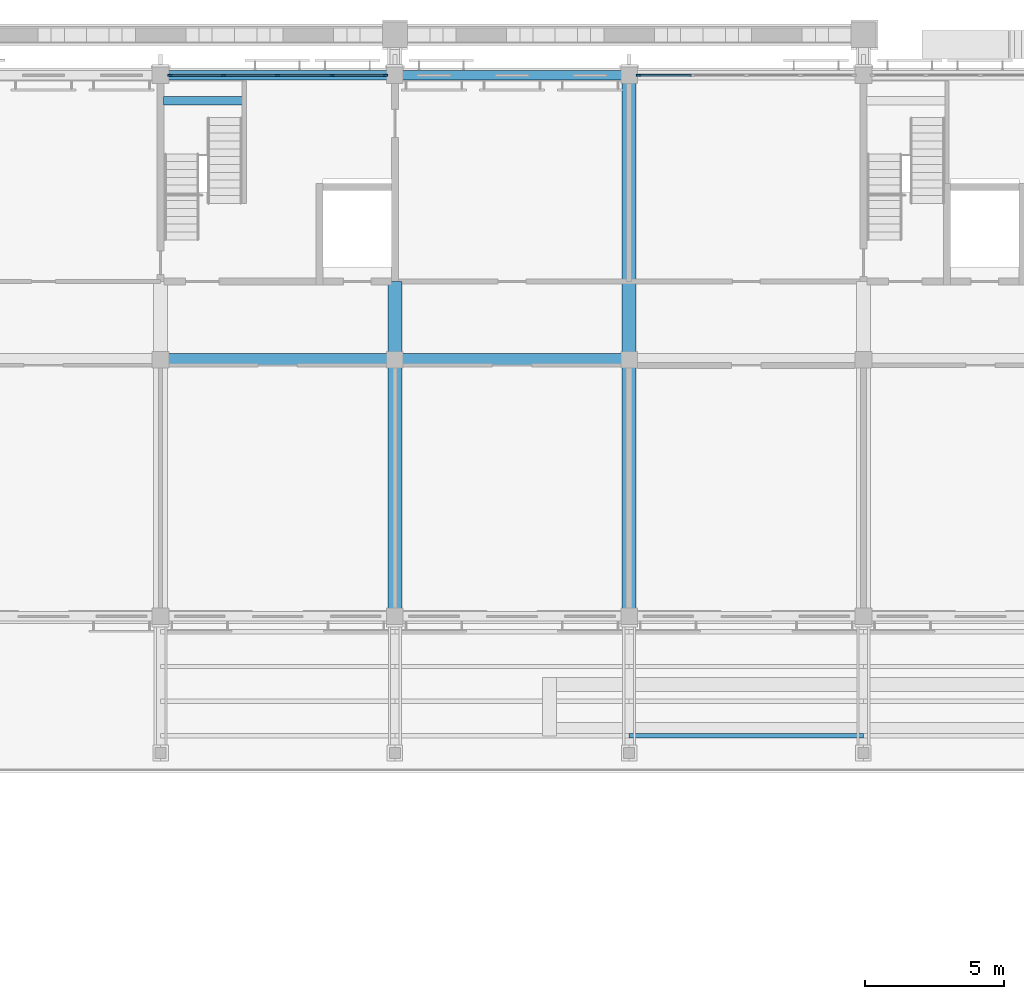
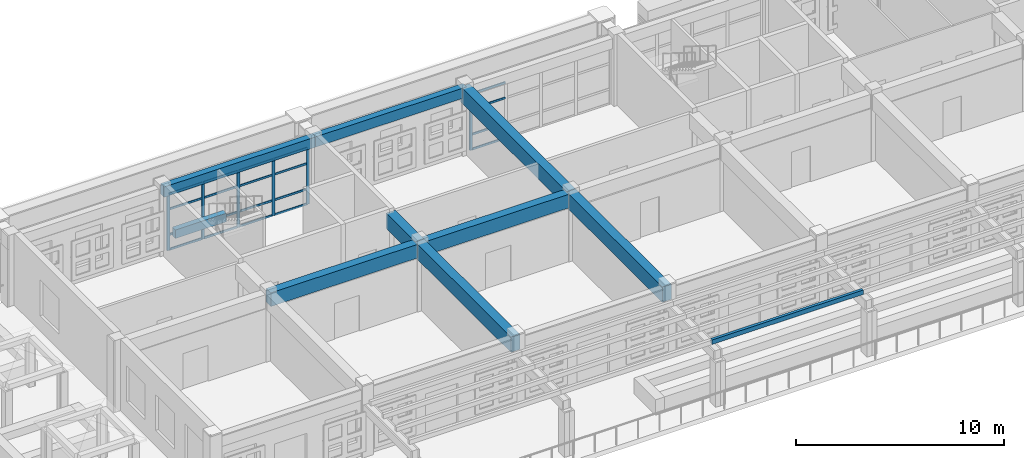
# One storey, part 10 of 68: 27 members, 9 beams, 2 elements without a shape of their own.
"""IFC4 building model written with IfcOpenShell, lengths in metres."""

from ifc_helpers import new_model, si_unit, direction, frame, origin, origin_2d, place, context, subcontext, project, spatial, rectangle, extrude, material, layer, layer_set, material_profile, profile_set, type_object, element, aggregate, save


model = new_model("IFC4")

# Units and contexts
model_context = context("Model", 3, precision=1e-05, world=origin(), true_north=direction((0.0, 1.0)))
body_context = subcontext(model_context, "Body", "Model", "MODEL_VIEW")
ifc_project = project(units=[si_unit("LENGTHUNIT", "METRE"), si_unit("AREAUNIT", "SQUARE_METRE"), si_unit("VOLUMEUNIT", "CUBIC_METRE"), si_unit("PLANEANGLEUNIT", "RADIAN"), si_unit("MASSUNIT", "GRAM", prefix="KILO")], contexts=[model_context])

# Site, building, storey
site_placement = place(None, origin())
site = spatial("IfcSite", under=ifc_project, at=site_placement, CompositionType="ELEMENT")
building_placement = place(site_placement, origin())
building = spatial("IfcBuilding", under=site, at=building_placement, Name="Wasatch Bagh Community Centre", CompositionType="ELEMENT")
storey_placement = place(building_placement, frame((0.0, 0.0, 8.39990234375)))
storey = spatial("IfcBuildingStorey", under=building, at=storey_placement, Name="L02", CompositionType="ELEMENT", Elevation=8.39990234375)

# Beams
ifc_material_1 = material(Name="Concrete C35", Category="concrete")
ifc_material_profile_1 = material_profile(ifc_material_1, rectangle(XDim=0.300048828125, YDim=0.5, at=origin_2d()), Name="RC 300x500")
ifc_profile_set_1 = profile_set([ifc_material_profile_1], Name="Concrete C35")
beam_type_1 = type_object("IfcBeamType", Name="LW RC 300x500", PredefinedType="BEAM", material=ifc_profile_set_1)
beam_1_placement = place(storey_placement, frame((80.905029296875, 96.8798828125, 1.650146484375), z_axis=(1.0, 0.0, 0.0), x_axis=(0.0, 1.0, 0.0)))
element("IfcBeam", 1, at=beam_1_placement, inside=storey, type_object=beam_type_1, Name="LW.lbeam.L02.C1", PredefinedType="BEAM", context=body_context, shape_type="SweptSolid", body=[
    extrude(rectangle(XDim=0.300048828125, YDim=0.5, at=origin_2d()), origin(), (0.0, 0.0, 1.0), 2.840087890625),
])
ifc_material_profile_2 = material_profile(ifc_material_1, rectangle(XDim=0.35009765625, YDim=0.60009765625, at=origin_2d()), Name="RC 350x600")
ifc_profile_set_2 = profile_set([ifc_material_profile_2], Name="Concrete C35")
beam_type_2 = type_object("IfcBeamType", Name="LW RC 350x600", PredefinedType="BEAM", material=ifc_profile_set_2)
beam_2_placement = place(storey_placement, frame((80.800048828125, 97.800048828125, 3.6201171875), z_axis=(1.0, 0.0, 0.0), x_axis=(0.0, 1.0, 0.0)))
element("IfcBeam", 2, at=beam_2_placement, inside=storey, type_object=beam_type_2, Name="W3-W4N", PredefinedType="BEAM", context=body_context, shape_type="SweptSolid", body=[
    extrude(rectangle(XDim=0.35009765625, YDim=0.60009765625, at=origin_2d()), origin(), (0.0, 0.0, 1.0), 8.39990234375),
])
beam_3_placement = place(storey_placement, frame((89.199951171875, 97.800048828125, 3.6201171875), z_axis=(1.0, 0.0, 0.0), x_axis=(0.0, 1.0, 0.0)))
element("IfcBeam", 3, at=beam_3_placement, inside=storey, type_object=beam_type_2, Name="W4-W5N", PredefinedType="BEAM", context=body_context, shape_type="SweptSolid", body=[
    extrude(rectangle(XDim=0.35009765625, YDim=0.60009765625, at=origin_2d()), origin(), (0.0, 0.0, 1.0), 8.400146484375),
])
ifc_material_profile_3 = material_profile(ifc_material_1, rectangle(XDim=0.449951171875, YDim=0.800048828125, at=origin_2d()), Name="RC 450x800")
ifc_profile_set_3 = profile_set([ifc_material_profile_3], Name="Concrete C35")
beam_type_3 = type_object("IfcBeamType", Name="LW RC 450x800", PredefinedType="BEAM", material=ifc_profile_set_3)
beam_4_placement = place(storey_placement, frame((80.800048828125, 87.60009765625, 3.52001953125), z_axis=(1.0, 0.0, 0.0), x_axis=(0.0, 1.0, 0.0)))
element("IfcBeam", 4, at=beam_4_placement, inside=storey, type_object=beam_type_3, Name="W3-W4M", PredefinedType="BEAM", context=body_context, shape_type="SweptSolid", body=[
    extrude(rectangle(XDim=0.449951171875, YDim=0.800048828125, at=origin_2d()), origin(), (0.0, 0.0, 1.0), 8.39990234375),
])
beam_5_placement = place(storey_placement, frame((89.199951171875, 87.60009765625, 3.52001953125), z_axis=(1.0, 0.0, 0.0), x_axis=(0.0, 1.0, 0.0)))
element("IfcBeam", 5, at=beam_5_placement, inside=storey, type_object=beam_type_3, Name="W4-W5M", PredefinedType="BEAM", context=body_context, shape_type="SweptSolid", body=[
    extrude(rectangle(XDim=0.449951171875, YDim=0.800048828125, at=origin_2d()), origin(), (0.0, 0.0, 1.0), 8.400146484375),
])
ifc_material_profile_4 = material_profile(ifc_material_1, rectangle(XDim=0.5, YDim=0.89990234375, at=origin_2d()), Name="RC 500x900")
ifc_profile_set_4 = profile_set([ifc_material_profile_4], Name="Concrete C35")
beam_type_4 = type_object("IfcBeamType", Name="LW RC 500x900", PredefinedType="BEAM", material=ifc_profile_set_4)
beam_6_placement = place(storey_placement, frame((89.199951171875, 78.39990234375, 3.47021484375), z_axis=(0.0, 1.0, 0.0), x_axis=(-1.0, 0.0, 0.0)))
element("IfcBeam", 6, at=beam_6_placement, inside=storey, type_object=beam_type_4, Name="W4S-M", PredefinedType="BEAM", context=body_context, shape_type="SweptSolid", body=[
    extrude(rectangle(XDim=0.5, YDim=0.89990234375, at=origin_2d()), origin(), (0.0, 0.0, 1.0), 9.2001953125),
])
beam_7_placement = place(storey_placement, frame((89.199951171875, 87.60009765625, 3.47021484375), z_axis=(0.0, 1.0, 0.0), x_axis=(-1.0, 0.0, 0.0)))
element("IfcBeam", 7, at=beam_7_placement, inside=storey, type_object=beam_type_4, Name="W4M-N", PredefinedType="BEAM", context=body_context, shape_type="SweptSolid", body=[
    extrude(rectangle(XDim=0.5, YDim=0.89990234375, at=origin_2d()), origin(), (0.0, 0.0, 1.0), 2.7998046875),
])
beam_8_placement = place(storey_placement, frame((97.60009765625, 78.39990234375, 3.47021484375), z_axis=(0.0, 1.0, 0.0), x_axis=(-1.0, 0.0, 0.0)))
element("IfcBeam", 8, at=beam_8_placement, inside=storey, type_object=beam_type_4, Name="W5S-M", PredefinedType="BEAM", context=body_context, shape_type="SweptSolid", body=[
    extrude(rectangle(XDim=0.5, YDim=0.89990234375, at=origin_2d()), origin(), (0.0, 0.0, 1.0), 9.2001953125),
])
beam_9_placement = place(storey_placement, frame((97.60009765625, 87.60009765625, 3.47021484375), z_axis=(0.0, 1.0, 0.0), x_axis=(-1.0, 0.0, 0.0)))
element("IfcBeam", 9, at=beam_9_placement, inside=storey, type_object=beam_type_4, Name="W5M-N", PredefinedType="BEAM", context=body_context, shape_type="SweptSolid", body=[
    extrude(rectangle(XDim=0.5, YDim=0.89990234375, at=origin_2d()), origin(), (0.0, 0.0, 1.0), 10.199951171875),
])

# Curtain wall, members
ifc_material_2 = material(Name="Aluminium curtain wall frame with low-iron glass", Category="aluminium")
ifc_layer_1 = layer(ifc_material_2, 0.10009765625)
ifc_layer_set_1 = layer_set([ifc_layer_1], Name="Aluminium curtain wall frame with low-iron glass")
curtain_wall_type_1 = type_object("IfcCurtainWallType", Name="LW curtain wall 100", PredefinedType="NOTDEFINED", material=ifc_layer_set_1)
curtain_wall_1_placement = place(storey_placement, origin())
curtain_wall_1 = element("IfcCurtainWall", 10, at=curtain_wall_1_placement, inside=storey, type_object=curtain_wall_type_1, Name="Curtain wall 02.01", PredefinedType="NOTDEFINED")
ifc_material_3 = material(Name="Aluminium extrusion", Category="aluminium")
ifc_material_profile_5 = material_profile(ifc_material_3, rectangle(XDim=0.06005859375, YDim=0.159912109375, at=origin_2d()), Name="AL 60x160")
ifc_profile_set_5 = profile_set([ifc_material_profile_5], Name="Aluminium extrusion")
member_type_1 = type_object("IfcMemberType", Name="LW curtain wall mullion 60x160", PredefinedType="MULLION", material=ifc_profile_set_5)
member_1_placement = place(storey_placement, frame((81.1298828125, 97.800048828125, 0.0), z_axis=(0.0, 0.0, 1.0), x_axis=(0.0, 1.0, 0.0)))
member_1 = element("IfcMember", 11, at=member_1_placement, type_object=member_type_1, Name="LW-CW1 mullion 1", PredefinedType="MULLION", context=body_context, shape_type="SweptSolid", body=[
    extrude(rectangle(XDim=0.06005859375, YDim=0.159912109375, at=origin_2d()), origin(), (0.0, 0.0, 1.0), 3.320068359375),
])
member_2_placement = place(storey_placement, frame((83.050048828125, 97.800048828125, 0.0), z_axis=(0.0, 0.0, 1.0), x_axis=(0.0, 1.0, 0.0)))
member_2 = element("IfcMember", 12, at=member_2_placement, type_object=member_type_1, Name="LW-CW1 mullion 2", PredefinedType="MULLION", context=body_context, shape_type="SweptSolid", body=[
    extrude(rectangle(XDim=0.06005859375, YDim=0.159912109375, at=origin_2d()), origin(), (0.0, 0.0, 1.0), 3.320068359375),
])
member_3_placement = place(storey_placement, frame((85.0, 97.800048828125, 0.0), z_axis=(0.0, 0.0, 1.0), x_axis=(0.0, 1.0, 0.0)))
member_3 = element("IfcMember", 13, at=member_3_placement, type_object=member_type_1, Name="LW-CW1 mullion 3", PredefinedType="MULLION", context=body_context, shape_type="SweptSolid", body=[
    extrude(rectangle(XDim=0.06005859375, YDim=0.159912109375, at=origin_2d()), origin(), (0.0, 0.0, 1.0), 3.320068359375),
])
member_4_placement = place(storey_placement, frame((86.949951171875, 97.800048828125, 0.0), z_axis=(0.0, 0.0, 1.0), x_axis=(0.0, 1.0, 0.0)))
member_4 = element("IfcMember", 14, at=member_4_placement, type_object=member_type_1, Name="LW-CW1 mullion 4", PredefinedType="MULLION", context=body_context, shape_type="SweptSolid", body=[
    extrude(rectangle(XDim=0.06005859375, YDim=0.159912109375, at=origin_2d()), origin(), (0.0, 0.0, 1.0), 3.320068359375),
])
member_5_placement = place(storey_placement, frame((88.8701171875, 97.800048828125, 0.0), z_axis=(0.0, 0.0, 1.0), x_axis=(0.0, 1.0, 0.0)))
member_5 = element("IfcMember", 15, at=member_5_placement, type_object=member_type_1, Name="LW-CW1 mullion 5", PredefinedType="MULLION", context=body_context, shape_type="SweptSolid", body=[
    extrude(rectangle(XDim=0.06005859375, YDim=0.159912109375, at=origin_2d()), origin(), (0.0, 0.0, 1.0), 3.320068359375),
])

# Curtain wall, member
ifc_layer_2 = layer(ifc_material_2, 0.1201171875)
ifc_layer_set_2 = layer_set([ifc_layer_2], Name="Aluminium curtain wall frame with low-iron glass")
curtain_wall_type_2 = type_object("IfcCurtainWallType", Name="LW study front curtain wall 120", PredefinedType="NOTDEFINED", material=ifc_layer_set_2)
curtain_wall_2_placement = place(storey_placement, origin())
curtain_wall_2 = element("IfcCurtainWall", 16, at=curtain_wall_2_placement, inside=storey, type_object=curtain_wall_type_2, Name="Curtain wall 02.02", PredefinedType="NOTDEFINED")
ifc_material_profile_6 = material_profile(ifc_material_3, rectangle(XDim=0.06005859375, YDim=0.159912109375, at=origin_2d()), Name="AL 60x160")
ifc_profile_set_6 = profile_set([ifc_material_profile_6], Name="Aluminium extrusion")
member_type_2 = type_object("IfcMemberType", Name="LW curtain wall mullion 60x160 LW-CW2", PredefinedType="MULLION", material=ifc_profile_set_6)
member_6_placement = place(storey_placement, frame((97.929931640625, 97.800048828125, 0.0), z_axis=(0.0, 0.0, 1.0), x_axis=(0.0, 1.0, 0.0)))
member_6 = element("IfcMember", 17, at=member_6_placement, type_object=member_type_2, Name="LW-CW2 mullion 1", PredefinedType="MULLION", context=body_context, shape_type="SweptSolid", body=[
    extrude(rectangle(XDim=0.06005859375, YDim=0.159912109375, at=origin_2d()), origin(), (0.0, 0.0, 1.0), 3.320068359375),
])

# Member
ifc_material_profile_7 = material_profile(ifc_material_3, rectangle(XDim=0.06005859375, YDim=0.1201171875, at=origin_2d()), Name="AL 60x120")
ifc_profile_set_7 = profile_set([ifc_material_profile_7], Name="Aluminium extrusion")
member_type_3 = type_object("IfcMemberType", Name="LW curtain wall transom 60x120", PredefinedType="USERDEFINED", material=ifc_profile_set_7)
member_7_placement = place(storey_placement, frame((81.159912109375, 97.800048828125, 0.030029296875), z_axis=(1.0, 0.0, 0.0), x_axis=(0.0, 1.0, 0.0)))
member_7 = element("IfcMember", 18, at=member_7_placement, type_object=member_type_3, Name="LW-CW1 transom 1.1", ObjectType="TRANSOM", PredefinedType="USERDEFINED", context=body_context, shape_type="SweptSolid", body=[
    extrude(rectangle(XDim=0.06005859375, YDim=0.1201171875, at=origin_2d()), origin(), (0.0, 0.0, 1.0), 1.860107421875),
])

member_8_placement = place(storey_placement, frame((81.159912109375, 97.800048828125, 0.900146484375), z_axis=(1.0, 0.0, 0.0), x_axis=(0.0, 1.0, 0.0)))
member_8 = element("IfcMember", 19, at=member_8_placement, type_object=member_type_3, Name="LW-CW1 transom 1.2", ObjectType="TRANSOM", PredefinedType="USERDEFINED", context=body_context, shape_type="SweptSolid", body=[
    extrude(rectangle(XDim=0.06005859375, YDim=0.1201171875, at=origin_2d()), origin(), (0.0, 0.0, 1.0), 1.860107421875),
])

member_9_placement = place(storey_placement, frame((81.159912109375, 97.800048828125, 2.400146484375), z_axis=(1.0, 0.0, 0.0), x_axis=(0.0, 1.0, 0.0)))
member_9 = element("IfcMember", 20, at=member_9_placement, type_object=member_type_3, Name="LW-CW1 transom 1.3", ObjectType="TRANSOM", PredefinedType="USERDEFINED", context=body_context, shape_type="SweptSolid", body=[
    extrude(rectangle(XDim=0.06005859375, YDim=0.1201171875, at=origin_2d()), origin(), (0.0, 0.0, 1.0), 1.860107421875),
])

member_10_placement = place(storey_placement, frame((81.159912109375, 97.800048828125, 3.2900390625), z_axis=(1.0, 0.0, 0.0), x_axis=(0.0, 1.0, 0.0)))
member_10 = element("IfcMember", 21, at=member_10_placement, type_object=member_type_3, Name="LW-CW1 transom 1.4", ObjectType="TRANSOM", PredefinedType="USERDEFINED", context=body_context, shape_type="SweptSolid", body=[
    extrude(rectangle(XDim=0.06005859375, YDim=0.1201171875, at=origin_2d()), origin(), (0.0, 0.0, 1.0), 1.860107421875),
])

member_11_placement = place(storey_placement, frame((83.080078125, 97.800048828125, 0.030029296875), z_axis=(1.0, 0.0, 0.0), x_axis=(0.0, 1.0, 0.0)))
member_11 = element("IfcMember", 22, at=member_11_placement, type_object=member_type_3, Name="LW-CW1 transom 2.1", ObjectType="TRANSOM", PredefinedType="USERDEFINED", context=body_context, shape_type="SweptSolid", body=[
    extrude(rectangle(XDim=0.06005859375, YDim=0.1201171875, at=origin_2d()), origin(), (0.0, 0.0, 1.0), 1.889892578125),
])

member_12_placement = place(storey_placement, frame((83.080078125, 97.800048828125, 0.900146484375), z_axis=(1.0, 0.0, 0.0), x_axis=(0.0, 1.0, 0.0)))
member_12 = element("IfcMember", 23, at=member_12_placement, type_object=member_type_3, Name="LW-CW1 transom 2.2", ObjectType="TRANSOM", PredefinedType="USERDEFINED", context=body_context, shape_type="SweptSolid", body=[
    extrude(rectangle(XDim=0.06005859375, YDim=0.1201171875, at=origin_2d()), origin(), (0.0, 0.0, 1.0), 1.889892578125),
])

member_13_placement = place(storey_placement, frame((83.080078125, 97.800048828125, 2.400146484375), z_axis=(1.0, 0.0, 0.0), x_axis=(0.0, 1.0, 0.0)))
member_13 = element("IfcMember", 24, at=member_13_placement, type_object=member_type_3, Name="LW-CW1 transom 2.3", ObjectType="TRANSOM", PredefinedType="USERDEFINED", context=body_context, shape_type="SweptSolid", body=[
    extrude(rectangle(XDim=0.06005859375, YDim=0.1201171875, at=origin_2d()), origin(), (0.0, 0.0, 1.0), 1.889892578125),
])

member_14_placement = place(storey_placement, frame((83.080078125, 97.800048828125, 3.2900390625), z_axis=(1.0, 0.0, 0.0), x_axis=(0.0, 1.0, 0.0)))
member_14 = element("IfcMember", 25, at=member_14_placement, type_object=member_type_3, Name="LW-CW1 transom 2.4", ObjectType="TRANSOM", PredefinedType="USERDEFINED", context=body_context, shape_type="SweptSolid", body=[
    extrude(rectangle(XDim=0.06005859375, YDim=0.1201171875, at=origin_2d()), origin(), (0.0, 0.0, 1.0), 1.889892578125),
])

member_15_placement = place(storey_placement, frame((85.030029296875, 97.800048828125, 0.030029296875), z_axis=(1.0, 0.0, 0.0), x_axis=(0.0, 1.0, 0.0)))
member_15 = element("IfcMember", 26, at=member_15_placement, type_object=member_type_3, Name="LW-CW1 transom 3.1", ObjectType="TRANSOM", PredefinedType="USERDEFINED", context=body_context, shape_type="SweptSolid", body=[
    extrude(rectangle(XDim=0.06005859375, YDim=0.1201171875, at=origin_2d()), origin(), (0.0, 0.0, 1.0), 1.889892578125),
])

member_16_placement = place(storey_placement, frame((85.030029296875, 97.800048828125, 0.900146484375), z_axis=(1.0, 0.0, 0.0), x_axis=(0.0, 1.0, 0.0)))
member_16 = element("IfcMember", 27, at=member_16_placement, type_object=member_type_3, Name="LW-CW1 transom 3.2", ObjectType="TRANSOM", PredefinedType="USERDEFINED", context=body_context, shape_type="SweptSolid", body=[
    extrude(rectangle(XDim=0.06005859375, YDim=0.1201171875, at=origin_2d()), origin(), (0.0, 0.0, 1.0), 1.889892578125),
])

member_17_placement = place(storey_placement, frame((85.030029296875, 97.800048828125, 2.400146484375), z_axis=(1.0, 0.0, 0.0), x_axis=(0.0, 1.0, 0.0)))
member_17 = element("IfcMember", 28, at=member_17_placement, type_object=member_type_3, Name="LW-CW1 transom 3.3", ObjectType="TRANSOM", PredefinedType="USERDEFINED", context=body_context, shape_type="SweptSolid", body=[
    extrude(rectangle(XDim=0.06005859375, YDim=0.1201171875, at=origin_2d()), origin(), (0.0, 0.0, 1.0), 1.889892578125),
])

member_18_placement = place(storey_placement, frame((85.030029296875, 97.800048828125, 3.2900390625), z_axis=(1.0, 0.0, 0.0), x_axis=(0.0, 1.0, 0.0)))
member_18 = element("IfcMember", 29, at=member_18_placement, type_object=member_type_3, Name="LW-CW1 transom 3.4", ObjectType="TRANSOM", PredefinedType="USERDEFINED", context=body_context, shape_type="SweptSolid", body=[
    extrude(rectangle(XDim=0.06005859375, YDim=0.1201171875, at=origin_2d()), origin(), (0.0, 0.0, 1.0), 1.889892578125),
])

member_19_placement = place(storey_placement, frame((86.97998046875, 97.800048828125, 0.030029296875), z_axis=(1.0, 0.0, 0.0), x_axis=(0.0, 1.0, 0.0)))
member_19 = element("IfcMember", 30, at=member_19_placement, type_object=member_type_3, Name="LW-CW1 transom 4.1", ObjectType="TRANSOM", PredefinedType="USERDEFINED", context=body_context, shape_type="SweptSolid", body=[
    extrude(rectangle(XDim=0.06005859375, YDim=0.1201171875, at=origin_2d()), origin(), (0.0, 0.0, 1.0), 1.860107421875),
])

member_20_placement = place(storey_placement, frame((86.97998046875, 97.800048828125, 0.900146484375), z_axis=(1.0, 0.0, 0.0), x_axis=(0.0, 1.0, 0.0)))
member_20 = element("IfcMember", 31, at=member_20_placement, type_object=member_type_3, Name="LW-CW1 transom 4.2", ObjectType="TRANSOM", PredefinedType="USERDEFINED", context=body_context, shape_type="SweptSolid", body=[
    extrude(rectangle(XDim=0.06005859375, YDim=0.1201171875, at=origin_2d()), origin(), (0.0, 0.0, 1.0), 1.860107421875),
])

member_21_placement = place(storey_placement, frame((86.97998046875, 97.800048828125, 2.400146484375), z_axis=(1.0, 0.0, 0.0), x_axis=(0.0, 1.0, 0.0)))
member_21 = element("IfcMember", 32, at=member_21_placement, type_object=member_type_3, Name="LW-CW1 transom 4.3", ObjectType="TRANSOM", PredefinedType="USERDEFINED", context=body_context, shape_type="SweptSolid", body=[
    extrude(rectangle(XDim=0.06005859375, YDim=0.1201171875, at=origin_2d()), origin(), (0.0, 0.0, 1.0), 1.860107421875),
])

member_22_placement = place(storey_placement, frame((86.97998046875, 97.800048828125, 3.2900390625), z_axis=(1.0, 0.0, 0.0), x_axis=(0.0, 1.0, 0.0)))
member_22 = element("IfcMember", 33, at=member_22_placement, type_object=member_type_3, Name="LW-CW1 transom 4.4", ObjectType="TRANSOM", PredefinedType="USERDEFINED", context=body_context, shape_type="SweptSolid", body=[
    extrude(rectangle(XDim=0.06005859375, YDim=0.1201171875, at=origin_2d()), origin(), (0.0, 0.0, 1.0), 1.860107421875),
])

aggregate(curtain_wall_1, [member_1, member_2, member_3, member_4, member_5, member_7, member_8, member_9, member_10, member_11, member_12, member_13, member_14, member_15, member_16, member_17, member_18, member_19, member_20, member_21, member_22])

ifc_material_profile_8 = material_profile(ifc_material_3, rectangle(XDim=0.06005859375, YDim=0.1201171875, at=origin_2d()), Name="AL 60x120")
ifc_profile_set_8 = profile_set([ifc_material_profile_8], Name="Aluminium extrusion")
member_type_4 = type_object("IfcMemberType", Name="LW curtain wall transom 60x120 LW-CW2", PredefinedType="USERDEFINED", material=ifc_profile_set_8)
member_23_placement = place(storey_placement, frame((97.9599609375, 97.800048828125, 0.030029296875), z_axis=(1.0, 0.0, 0.0), x_axis=(0.0, 1.0, 0.0)))
member_23 = element("IfcMember", 34, at=member_23_placement, type_object=member_type_4, Name="LW-CW2 transom 1.1", ObjectType="TRANSOM", PredefinedType="USERDEFINED", context=body_context, shape_type="SweptSolid", body=[
    extrude(rectangle(XDim=0.06005859375, YDim=0.1201171875, at=origin_2d()), origin(), (0.0, 0.0, 1.0), 1.860107421875),
])

member_24_placement = place(storey_placement, frame((97.9599609375, 97.800048828125, 0.900146484375), z_axis=(1.0, 0.0, 0.0), x_axis=(0.0, 1.0, 0.0)))
member_24 = element("IfcMember", 35, at=member_24_placement, type_object=member_type_4, Name="LW-CW2 transom 1.2", ObjectType="TRANSOM", PredefinedType="USERDEFINED", context=body_context, shape_type="SweptSolid", body=[
    extrude(rectangle(XDim=0.06005859375, YDim=0.1201171875, at=origin_2d()), origin(), (0.0, 0.0, 1.0), 1.860107421875),
])

member_25_placement = place(storey_placement, frame((97.9599609375, 97.800048828125, 2.400146484375), z_axis=(1.0, 0.0, 0.0), x_axis=(0.0, 1.0, 0.0)))
member_25 = element("IfcMember", 36, at=member_25_placement, type_object=member_type_4, Name="LW-CW2 transom 1.3", ObjectType="TRANSOM", PredefinedType="USERDEFINED", context=body_context, shape_type="SweptSolid", body=[
    extrude(rectangle(XDim=0.06005859375, YDim=0.1201171875, at=origin_2d()), origin(), (0.0, 0.0, 1.0), 1.860107421875),
])

member_26_placement = place(storey_placement, frame((97.9599609375, 97.800048828125, 3.2900390625), z_axis=(1.0, 0.0, 0.0), x_axis=(0.0, 1.0, 0.0)))
member_26 = element("IfcMember", 37, at=member_26_placement, type_object=member_type_4, Name="LW-CW2 transom 1.4", ObjectType="TRANSOM", PredefinedType="USERDEFINED", context=body_context, shape_type="SweptSolid", body=[
    extrude(rectangle(XDim=0.06005859375, YDim=0.1201171875, at=origin_2d()), origin(), (0.0, 0.0, 1.0), 1.860107421875),
])

aggregate(curtain_wall_2, [member_6, member_23, member_24, member_25, member_26])

ifc_material_4 = material(Name="Glued laminated timber GL24h", Category="wood")
ifc_material_profile_9 = material_profile(ifc_material_4, rectangle(XDim=0.159912109375, YDim=0.260009765625, at=origin_2d()), Name="GL 160x260")
ifc_profile_set_9 = profile_set([ifc_material_profile_9], Name="Glued laminated timber GL24h")
member_type_5 = type_object("IfcMemberType", Name="LW pergola slat 160x260", PredefinedType="MEMBER", material=ifc_profile_set_9)
member_27_placement = place(storey_placement, frame((97.60009765625, 74.1201171875, 3.22998046875), z_axis=(1.0, 0.0, 0.0), x_axis=(0.0, 1.0, 0.0)))
element("IfcMember", 38, at=member_27_placement, inside=storey, type_object=member_type_5, Name="Pergola slat T2", PredefinedType="MEMBER", context=body_context, shape_type="SweptSolid", body=[
    extrude(rectangle(XDim=0.159912109375, YDim=0.260009765625, at=origin_2d()), origin(), (0.0, 0.0, 1.0), 8.39990234375),
])

save(model, "model.ifc")
